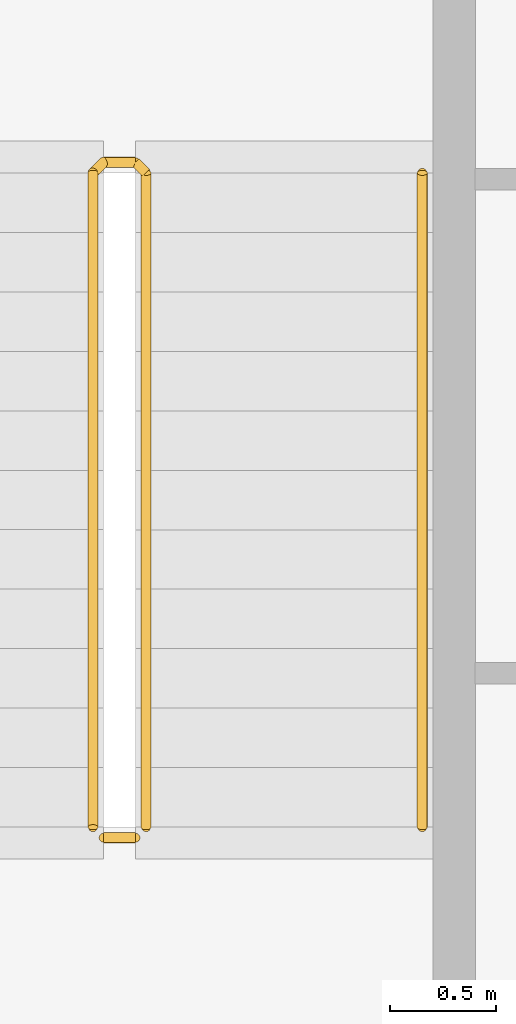
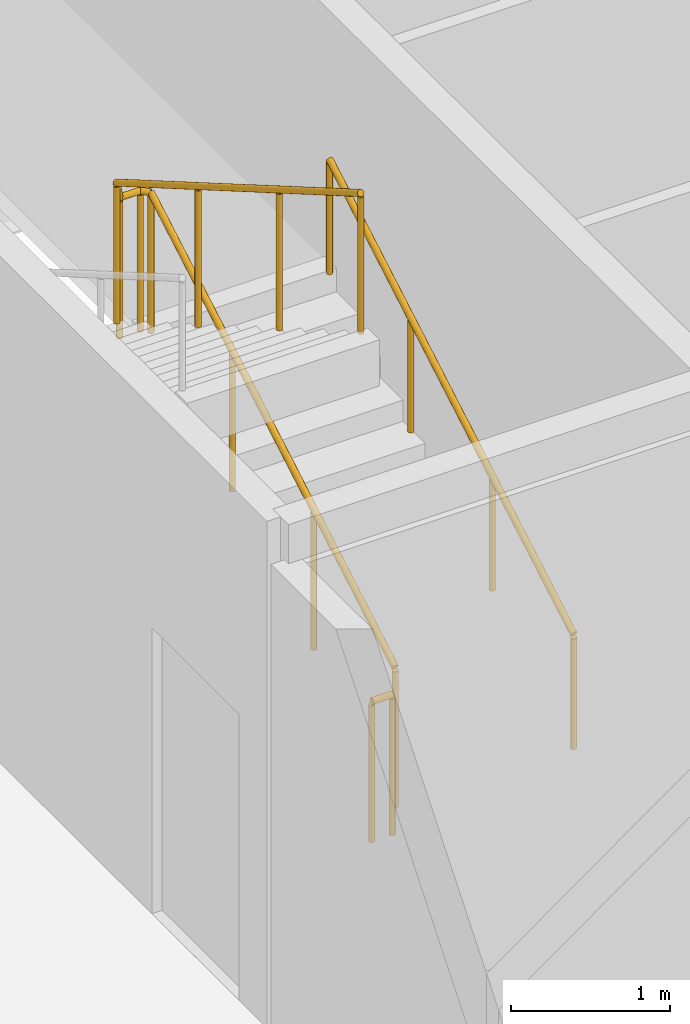
# One storey, part 23 of 24: 3 railings.
"""IFC4 building model written with IfcOpenShell, lengths in metres."""

import ifcopenshell
import ifcopenshell.guid

model = None  # the IFC model being written
_history = None  # IfcOwnerHistory: only IFC2X3 demands one
_inside = {}  # id of a spatial element -> (the spatial element, [elements in it])
_under = {}  # id of a project, library or spatial element -> (it, [spatial elements below it])
_declared = {}  # id of a project -> (the project, [libraries it declares])
_typed = {}  # id of a type object -> (the type object, [elements of that type])
_made_of = {}  # id of a material, layer set ... -> (it, [elements and type objects made of it])


def new_model(schema):
    """Start an empty IFC model of exactly this schema.

    Asked for "IFC4X3", IfcOpenShell would pick the latest addendum, in which some entities
    have other attributes; the version numbers below select the first issue.
    IFC2X3 requires an IfcOwnerHistory on every rooted entity: one is made here for all.
    """
    global model, _history
    if schema == "IFC4X3":
        model = ifcopenshell.file(schema_version=(4, 3, 0, 0))
    else:
        model = ifcopenshell.file(schema=schema)
    _inside.clear()
    _under.clear()
    _declared.clear()
    _typed.clear()
    _made_of.clear()
    _history = None
    if model.schema == "IFC2X3":
        org = make("IfcOrganization", Name="unknown")
        user = make(
            "IfcPersonAndOrganization",
            ThePerson=make("IfcPerson", FamilyName="unknown"),
            TheOrganization=org,
        )
        app = make(
            "IfcApplication",
            ApplicationDeveloper=org,
            Version="unknown",
            ApplicationFullName="unknown",
            ApplicationIdentifier="unknown",
        )
        _history = make(
            "IfcOwnerHistory",
            OwningUser=user,
            OwningApplication=app,
            ChangeAction="ADDED",
            CreationDate=0,
        )
    return model


def make(cls, **values):
    """One entity of the class cls with the attributes given. An attribute that is None is left unset."""
    return model.create_entity(
        cls, **{name: value for name, value in values.items() if value is not None}
    )


def rooted(cls, **values):
    """An entity with a GlobalId (a new one), such as an element, a storey or a relation."""
    return make(cls, GlobalId=ifcopenshell.guid.new(), OwnerHistory=_history, **values)


def si_unit(unit_type, name, prefix=None):
    """IfcSIUnit, for example si_unit("LENGTHUNIT", "METRE", prefix="MILLI")."""
    return make("IfcSIUnit", UnitType=unit_type, Prefix=prefix, Name=name)


def assignment(units):
    """IfcUnitAssignment: the units of a project."""
    return None if units is None else make("IfcUnitAssignment", Units=units)


def point(xyz):
    """IfcCartesianPoint."""
    return None if xyz is None else make("IfcCartesianPoint", Coordinates=xyz)


def direction(xyz):
    """IfcDirection."""
    return None if xyz is None else make("IfcDirection", DirectionRatios=xyz)


def frame(location, z_axis=None, x_axis=None):
    """IfcAxis2Placement3D, a coordinate frame: its origin and axes. An axis left out is left unset."""
    return make(
        "IfcAxis2Placement3D",
        Location=point(location),
        Axis=direction(z_axis),
        RefDirection=direction(x_axis),
    )


def frame_2d(location, x_axis=None):
    """IfcAxis2Placement2D, a coordinate frame in the plane: its origin and x axis."""
    return make(
        "IfcAxis2Placement2D", Location=point(location), RefDirection=direction(x_axis)
    )


def origin():
    """The frame at (0, 0, 0) with its axes left unset."""
    return frame((0.0, 0.0, 0.0))


def origin_2d():
    """The frame at (0, 0) in the plane with its x axis left unset."""
    return frame_2d((0.0, 0.0))


def place(relative_to, where):
    """IfcLocalPlacement: puts the frame where relative to a parent placement (None: the world)."""
    return make(
        "IfcLocalPlacement", PlacementRelTo=relative_to, RelativePlacement=where
    )


def context(
    kind, dimensions, precision=None, world=None, true_north=None, identifier=None
):
    """IfcGeometricRepresentationContext, for example the 3D "Model" context."""
    return make(
        "IfcGeometricRepresentationContext",
        ContextIdentifier=identifier,
        ContextType=kind,
        CoordinateSpaceDimension=dimensions,
        Precision=precision,
        WorldCoordinateSystem=world,
        TrueNorth=true_north,
    )


def subcontext(parent, identifier, kind, view, scale=None):
    """IfcGeometricRepresentationSubContext, for example "Body" below "Model"."""
    return make(
        "IfcGeometricRepresentationSubContext",
        ContextIdentifier=identifier,
        ContextType=kind,
        ParentContext=parent,
        TargetScale=scale,
        TargetView=view,
    )


def project(units=None, contexts=None):
    """IfcProject with its units and contexts."""
    return rooted(
        "IfcProject",
        Name="project",
        RepresentationContexts=contexts,
        UnitsInContext=assignment(units),
    )


def spatial(cls, under=None, at=None, **own):
    """A site, building, storey or space (cls), placed at a placement, below another one or the project."""
    s = rooted(cls, ObjectPlacement=at, **own)
    if under is not None:
        _under.setdefault(under.id(), (under, []))[1].append(s)
    return s


def profile(cls, at=None, kind="AREA", **sizes):
    """A parametric profile (cls). Its sizes go by their IFC names, for example OverallWidth=200.0."""
    return make(cls, ProfileType=kind, Position=at, **sizes)


def circle(**sizes):
    """IfcCircleProfileDef."""
    return profile("IfcCircleProfileDef", **sizes)


def extrude(swept, where, along, depth):
    """IfcExtrudedAreaSolid: the profile swept, set in the frame where, extruded along a direction by depth."""
    return make(
        "IfcExtrudedAreaSolid",
        SweptArea=swept,
        Position=where,
        ExtrudedDirection=direction(along),
        Depth=depth,
    )


def shape(context_of_items, identifier, shape_type, items):
    """IfcShapeRepresentation: the items that make up one representation, for example the "Body"."""
    return make(
        "IfcShapeRepresentation",
        ContextOfItems=context_of_items,
        RepresentationIdentifier=identifier,
        RepresentationType=shape_type,
        Items=items,
    )


def material(Name=None, Category=None):
    """IfcMaterial."""
    return make("IfcMaterial", Name=Name, Category=Category)


def made_of(thing, what):
    """Note that an element or type object is made of a material, layer set ...; save() writes the relation."""
    if what is not None:
        _made_of.setdefault(what.id(), (what, []))[1].append(thing)
    return thing


def type_object(cls, material=None, **own):
    """A type object (cls), such as IfcWallType, which elements share."""
    return made_of(rooted(cls, **own), material)


def element(
    cls,
    number,
    at=None,
    inside=None,
    cuts=None,
    type_object=None,
    material=None,
    context=None,
    identifier="Body",
    shape_type=None,
    held_by="IfcProductDefinitionShape",
    body=None,
    shapes=None,
    **own,
):
    """One element of the class cls, such as IfcWall. Its Tag is "e" and its number.

    at: its placement. inside: the storey or other place that contains it. cuts: it is an
    opening in that element (IfcRelVoidsElement). A single representation is given by context,
    identifier, shape_type and body (its items); several are given by shapes. held_by: the class
    of the entity that holds the representations. save() writes the other relations.
    """
    e = rooted(cls, Tag="e%d" % number, ObjectPlacement=at, **own)
    if body is not None:
        shapes = [shape(context, identifier, shape_type, body)]
    if shapes is not None:
        e.Representation = make(held_by, Representations=shapes)
    if inside is not None:
        _inside.setdefault(inside.id(), (inside, []))[1].append(e)
    if cuts is not None:
        rooted(
            "IfcRelVoidsElement", RelatingBuildingElement=cuts, RelatedOpeningElement=e
        )
    if type_object is not None:
        _typed.setdefault(type_object.id(), (type_object, []))[1].append(e)
    return made_of(e, material)


def aggregate(whole, parts):
    """IfcRelAggregates: a whole, such as a stair, and the parts it consists of."""
    return rooted("IfcRelAggregates", RelatingObject=whole, RelatedObjects=parts)


def save(model, path):
    """Write the relations noted so far, then the file.

    IfcRelAggregates (storeys below a building ...), IfcRelContainedInSpatialStructure (elements
    in a storey), IfcRelDefinesByType, IfcRelAssociatesMaterial and IfcRelDeclares: one each for
    every whole, place, type object, material and project.
    """
    for whole, parts in _under.values():
        aggregate(whole, parts)
    for where, things in _inside.values():
        rooted(
            "IfcRelContainedInSpatialStructure",
            RelatedElements=things,
            RelatingStructure=where,
        )
    for kind, things in _typed.values():
        rooted("IfcRelDefinesByType", RelatedObjects=things, RelatingType=kind)
    for what, things in _made_of.values():
        rooted("IfcRelAssociatesMaterial", RelatedObjects=things, RelatingMaterial=what)
    for by, libraries in _declared.values():
        rooted("IfcRelDeclares", RelatingContext=by, RelatedDefinitions=libraries)
    model.write(path)


model = new_model("IFC4")

# Units and contexts
model_context = context("Model", 3, precision=1e-05, world=origin(), true_north=direction((0.0, 1.0)))
body_context = subcontext(model_context, "Body", "Model", "MODEL_VIEW")
ifc_project = project(units=[si_unit("LENGTHUNIT", "METRE"), si_unit("AREAUNIT", "SQUARE_METRE"), si_unit("VOLUMEUNIT", "CUBIC_METRE"), si_unit("PLANEANGLEUNIT", "RADIAN"), si_unit("MASSUNIT", "GRAM", prefix="KILO")], contexts=[model_context])

# Site, building, storey
site_placement = place(None, origin())
site = spatial("IfcSite", under=ifc_project, at=site_placement, CompositionType="ELEMENT")
building_placement = place(site_placement, origin())
building = spatial("IfcBuilding", under=site, at=building_placement, Name="Kheshtan School and Residences Tower", CompositionType="ELEMENT")
storey_placement = place(building_placement, frame((0.0, 0.0, 38.300048828125)))
storey = spatial("IfcBuildingStorey", under=building, at=storey_placement, Name="L08", CompositionType="ELEMENT", Elevation=38.300048828125)

# Railings
ifc_material_1 = material(Name="Stainless steel balustrade", Category="steel")
railing_type_1 = type_object("IfcRailingType", Name="Stair guard 1100", PredefinedType="GUARDRAIL", material=ifc_material_1)
railing_1_placement = place(storey_placement, frame((35.0, 80.89990234375, 0.162353515625)))
element("IfcRailing", 1, at=railing_1_placement, inside=storey, type_object=railing_type_1, Name="L08 ST3 stair guard 1", PredefinedType="GUARDRAIL", context=body_context, shape_type="SweptSolid", body=[
    extrude(circle(Radius=0.02392578125, at=origin_2d()), frame((0.0, 0.0, 1.076171875), z_axis=(0.0, 0.864890721111, 0.501960198159), x_axis=(-1.0, 0.0, 0.0)), (0.0, 0.0, 1.0), 3.561279296875),
    extrude(circle(Radius=0.02392578125, at=origin_2d()), frame((0.0, 3.080078125, 2.86376953125), z_axis=(-0.707106781187, 0.707106781187, 0.0), x_axis=(-0.707106781187, -0.707106781187, 0.0)), (0.0, 0.0, 1.0), 0.07080078125),
    extrude(circle(Radius=0.02392578125, at=origin_2d()), frame((-0.050048828125, 3.130126953125, 2.86376953125), z_axis=(-1.0, 0.0, 0.0), x_axis=(0.0, -1.0, 0.0)), (0.0, 0.0, 1.0), 0.14990234375),
    extrude(circle(Radius=0.02392578125, at=origin_2d()), frame((-0.199951171875, 3.130126953125, 2.86376953125), z_axis=(-0.282227285176, -0.282227285176, 0.916894497205), x_axis=(0.707106781187, -0.707106781187, 0.0)), (0.0, 0.0, 1.0), 0.17724609375),
    extrude(circle(Radius=0.02392578125, at=origin_2d()), frame((-0.25, 3.080078125, 3.0263671875), z_axis=(0.0, -0.864920483161, 0.501908913857), x_axis=(1.0, 0.0, 0.0)), (0.0, 0.0, 1.0), 3.56103515625),
    extrude(circle(Radius=0.02099609375, at=origin_2d()), origin(), (0.0, 0.0, 1.0), 1.052001953125),
    extrude(circle(Radius=0.02099609375, at=origin_2d()), frame((0.0, 1.026611328125, 0.595947265625)), (0.0, 0.0, 1.0), 1.052001953125),
    extrude(circle(Radius=0.02099609375, at=origin_2d()), frame((0.0, 2.053466796875, 1.191650390625)), (0.0, 0.0, 1.0), 1.052001953125),
    extrude(circle(Radius=0.02099609375, at=origin_2d()), frame((0.0, 3.080078125, 1.78759765625)), (0.0, 0.0, 1.0), 1.052001953125),
    extrude(circle(Radius=0.02099609375, at=origin_2d()), frame((-0.050048828125, 3.130126953125, 1.78759765625)), (0.0, 0.0, 1.0), 1.052001953125),
    extrude(circle(Radius=0.02099609375, at=origin_2d()), frame((-0.199951171875, 3.130126953125, 1.78759765625)), (0.0, 0.0, 1.0), 1.052001953125),
    extrude(circle(Radius=0.02099609375, at=origin_2d()), frame((-0.25, 3.080078125, 1.9501953125)), (0.0, 0.0, 1.0), 1.052001953125),
    extrude(circle(Radius=0.02099609375, at=origin_2d()), frame((-0.25, 2.053466796875, 2.5458984375)), (0.0, 0.0, 1.0), 1.052001953125),
    extrude(circle(Radius=0.02099609375, at=origin_2d()), frame((-0.25, 1.026611328125, 3.141845703125)), (0.0, 0.0, 1.0), 1.052001953125),
    extrude(circle(Radius=0.02099609375, at=origin_2d()), frame((-0.25, 0.0, 3.737548828125)), (0.0, 0.0, 1.0), 1.052001953125),
])
railing_2_placement = place(storey_placement, frame((34.949951171875, 80.85009765625, 0.0)))
element("IfcRailing", 2, at=railing_2_placement, inside=storey, type_object=railing_type_1, Name="L08 ST3 stair guard 2", PredefinedType="GUARDRAIL", context=body_context, shape_type="SweptSolid", body=[
    extrude(circle(Radius=0.02392578125, at=origin_2d()), frame((0.0, 0.0, 1.076171875), z_axis=(-1.0, 0.0, 0.0), x_axis=(0.0, -1.0, 0.0)), (0.0, 0.0, 1.0), 0.14990234375),
    extrude(circle(Radius=0.02099609375, at=origin_2d()), origin(), (0.0, 0.0, 1.0), 1.052001953125),
    extrude(circle(Radius=0.02099609375, at=origin_2d()), frame((-0.14990234375, 0.0, 0.0)), (0.0, 0.0, 1.0), 1.052001953125),
])
ifc_material_2 = material(Name="Stainless steel handrail", Category="steel")
railing_type_2 = type_object("IfcRailingType", Name="Stair handrail 900", PredefinedType="HANDRAIL", material=ifc_material_2)
railing_3_placement = place(storey_placement, frame((36.300048828125, 80.89990234375, 0.162353515625)))
element("IfcRailing", 3, at=railing_3_placement, inside=storey, type_object=railing_type_2, Name="L08 ST3 stair handrail 1", PredefinedType="HANDRAIL", context=body_context, shape_type="SweptSolid", body=[
    extrude(circle(Radius=0.02392578125, at=origin_2d()), frame((0.0, 0.0, 0.8759765625), z_axis=(0.0, 0.864890721111, 0.501960198159), x_axis=(-1.0, 0.0, 0.0)), (0.0, 0.0, 1.0), 3.561279296875),
    extrude(circle(Radius=0.02099609375, at=origin_2d()), origin(), (0.0, 0.0, 1.0), 0.851806640625),
    extrude(circle(Radius=0.02099609375, at=origin_2d()), frame((0.0, 1.026611328125, 0.595947265625)), (0.0, 0.0, 1.0), 0.851806640625),
    extrude(circle(Radius=0.02099609375, at=origin_2d()), frame((0.0, 2.053466796875, 1.191650390625)), (0.0, 0.0, 1.0), 0.851806640625),
    extrude(circle(Radius=0.02099609375, at=origin_2d()), frame((0.0, 3.080078125, 1.78759765625)), (0.0, 0.0, 1.0), 0.851806640625),
])

save(model, "model.ifc")
